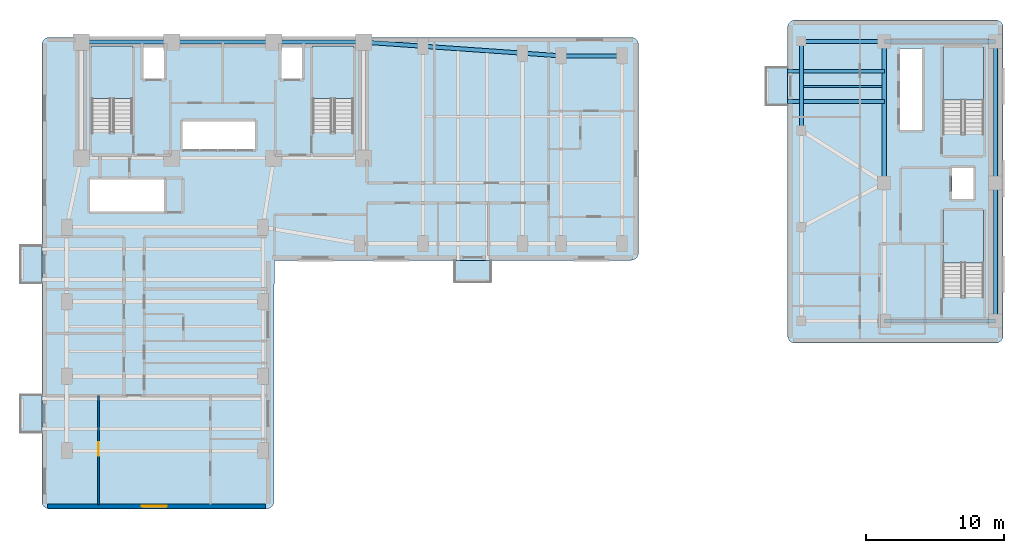
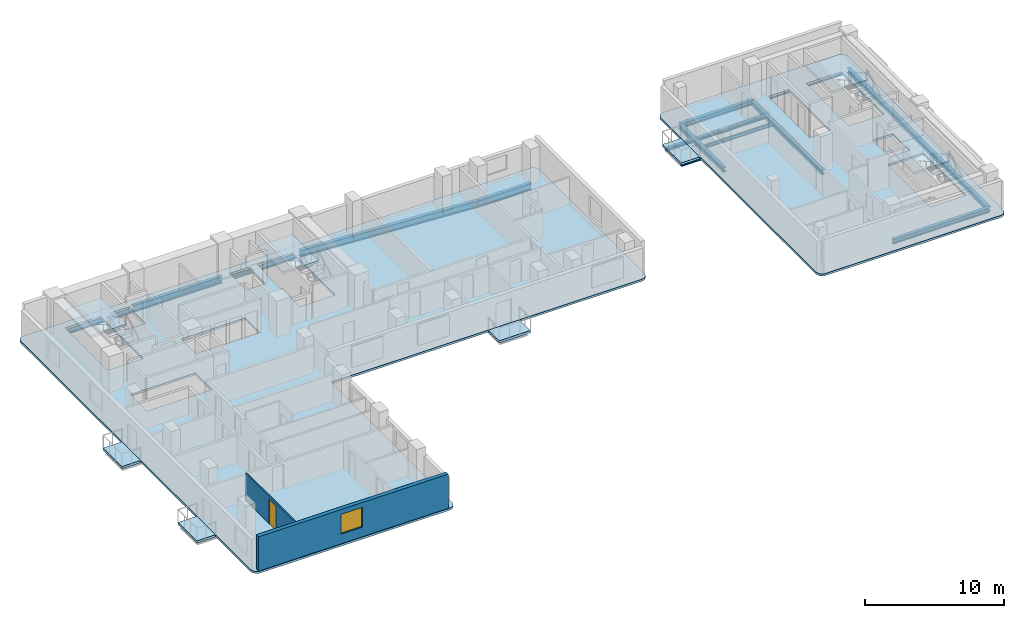
# One storey, part 2 of 9: 17 beams, 10 slabs, 2 walls, 1 door, 1 window, 2 openings, 4 elements without a shape of their own.
"""IFC4 building model written with IfcOpenShell, lengths in metres."""

from ifc_helpers import new_model, si_unit, direction, frame, frame_2d, origin, origin_2d, place, context, subcontext, project, spatial, polyline, rectangle, i_section, outline, extrude, material, layer, layer_set, material_profile, profile_set, type_object, element, fill, aggregate, save


model = new_model("IFC4")

# Units and contexts
model_context = context("Model", 3, precision=1e-05, world=origin(), true_north=direction((0.0, 1.0)))
body_context = subcontext(model_context, "Body", "Model", "MODEL_VIEW")
ifc_project = project(units=[si_unit("LENGTHUNIT", "METRE"), si_unit("AREAUNIT", "SQUARE_METRE"), si_unit("VOLUMEUNIT", "CUBIC_METRE"), si_unit("PLANEANGLEUNIT", "RADIAN"), si_unit("MASSUNIT", "GRAM", prefix="KILO")], contexts=[model_context])

# Site, building, storey
site_placement = place(None, origin())
site = spatial("IfcSite", under=ifc_project, at=site_placement, CompositionType="ELEMENT")
building_placement = place(site_placement, origin())
building = spatial("IfcBuilding", under=site, at=building_placement, Name="Kuzgunbayir Cultural Tower", CompositionType="ELEMENT")
storey_placement = place(building_placement, frame((0.0, 0.0, 89.800048828125)))
storey = spatial("IfcBuildingStorey", under=building, at=storey_placement, Name="L25", CompositionType="ELEMENT", Elevation=89.800048828125)

# Beams
ifc_material_1 = material(Name="Steel S355J2", Category="steel")
ifc_material_profile_1 = material_profile(ifc_material_1, i_section(OverallWidth=0.260009765625, OverallDepth=0.260009765625, WebThickness=0.010009765625, FlangeThickness=0.017578125, FilletRadius=0.02392578125, at=origin_2d()), Name="HEB 260")
ifc_profile_set_1 = profile_set([ifc_material_profile_1], Name="Steel S355J2")
beam_type_1 = type_object("IfcBeamType", Name="BM-BAL-HEB260", PredefinedType="BEAM", material=ifc_profile_set_1)
for number, where, z_axis, x_axis, name in (
    (1, (56.159912109375, 37.89990234375, -0.330078125), (1.0, 0.0, 0.0), (0.0, 1.0, 0.0), "L25 Companion Balcony Outrigger BAL-L25-T2W3.1"),
    (2, (56.159912109375, 40.10009765625, -0.330078125), (1.0, 0.0, 0.0), (0.0, 1.0, 0.0), "L25 Companion Balcony Outrigger BAL-L25-T2W3.2"),
):
    element("IfcBeam", number, at=place(storey_placement, frame(where, z_axis=z_axis, x_axis=x_axis)), inside=storey, type_object=beam_type_1, Name=name, PredefinedType="BEAM", context=body_context, shape_type="SweptSolid", body=[
        extrude(i_section(OverallWidth=0.260009765625, OverallDepth=0.260009765625, WebThickness=0.010009765625, FlangeThickness=0.017578125, FilletRadius=0.02392578125, at=origin_2d()), origin(), (0.0, 0.0, 1.0), 8.440185546875),
    ])
ifc_material_profile_2 = material_profile(ifc_material_1, i_section(OverallWidth=0.300048828125, OverallDepth=0.39990234375, WebThickness=0.013427734375, FlangeThickness=0.02392578125, FilletRadius=0.027099609375, at=origin_2d()), Name="HEB 400")
ifc_profile_set_2 = profile_set([ifc_material_profile_2], Name="Steel S355J2")
beam_type_2 = type_object("IfcBeamType", Name="BM-EXT-HEB400", PredefinedType="BEAM", material=ifc_profile_set_2)
beam_1_placement = place(storey_placement, frame((58.60009765625, 35.800048828125, -0.380126953125), z_axis=(0.0, 1.0, 0.0), x_axis=(-1.0, 0.0, 0.0)))
element("IfcBeam", 3, at=beam_1_placement, inside=storey, type_object=beam_type_2, Name="L25 Companion West Girder", PredefinedType="BEAM", context=body_context, shape_type="SweptSolid", body=[
    extrude(i_section(OverallWidth=0.300048828125, OverallDepth=0.39990234375, WebThickness=0.013427734375, FlangeThickness=0.02392578125, FilletRadius=0.027099609375, at=origin_2d()), origin(), (0.0, 0.0, 1.0), 6.449951171875),
])
ifc_material_profile_3 = material_profile(ifc_material_1, i_section(OverallWidth=0.300048828125, OverallDepth=0.60009765625, WebThickness=0.015380859375, FlangeThickness=0.030029296875, FilletRadius=0.027099609375, at=origin_2d()), Name="HEB 600")
ifc_profile_set_3 = profile_set([ifc_material_profile_3], Name="Steel S355J2")
beam_type_3 = type_object("IfcBeamType", Name="BM-EXT-HEB600", PredefinedType="BEAM", material=ifc_profile_set_3)
beam_2_placement = place(storey_placement, frame((26.89990234375, 42.199951171875, -0.47998046875), z_axis=(0.997574369175, -0.069608749203, 0.0), x_axis=(0.069608749203, 0.997574369175, 0.0)))
element("IfcBeam", 4, at=beam_2_placement, inside=storey, type_object=beam_type_3, Name="L25 Wing B North Girder 1", PredefinedType="BEAM", context=body_context, shape_type="SweptSolid", body=[
    extrude(i_section(OverallWidth=0.300048828125, OverallDepth=0.60009765625, WebThickness=0.015380859375, FlangeThickness=0.030029296875, FilletRadius=0.027099609375, at=origin_2d()), origin(), (0.0, 0.0, 1.0), 4.310546875),
])
beam_3_placement = place(storey_placement, frame((31.199951171875, 41.89990234375, -0.47998046875), z_axis=(0.997597388498, -0.069278066245, 0.0), x_axis=(0.069278066245, 0.997597388498, 0.0)))
element("IfcBeam", 5, at=beam_3_placement, inside=storey, type_object=beam_type_3, Name="L25 Wing B North Girder 2", PredefinedType="BEAM", context=body_context, shape_type="SweptSolid", body=[
    extrude(i_section(OverallWidth=0.300048828125, OverallDepth=0.60009765625, WebThickness=0.015380859375, FlangeThickness=0.030029296875, FilletRadius=0.027099609375, at=origin_2d()), origin(), (0.0, 0.0, 1.0), 7.21728515625),
])
beam_4_placement = place(storey_placement, frame((38.39990234375, 41.39990234375, -0.47998046875), z_axis=(0.997460024076, -0.071228508128, 0.0), x_axis=(0.071228508128, 0.997460024076, 0.0)))
element("IfcBeam", 6, at=beam_4_placement, inside=storey, type_object=beam_type_3, Name="L25 Wing B North Girder 3", PredefinedType="BEAM", context=body_context, shape_type="SweptSolid", body=[
    extrude(i_section(OverallWidth=0.300048828125, OverallDepth=0.60009765625, WebThickness=0.015380859375, FlangeThickness=0.030029296875, FilletRadius=0.027099609375, at=origin_2d()), origin(), (0.0, 0.0, 1.0), 2.80712890625),
])
beam_5_placement = place(storey_placement, frame((41.199951171875, 41.199951171875, -0.47998046875), z_axis=(1.0, 0.0, 0.0), x_axis=(0.0, 1.0, 0.0)))
element("IfcBeam", 7, at=beam_5_placement, inside=storey, type_object=beam_type_3, Name="L25 Wing B North Girder 4", PredefinedType="BEAM", context=body_context, shape_type="SweptSolid", body=[
    extrude(i_section(OverallWidth=0.300048828125, OverallDepth=0.60009765625, WebThickness=0.015380859375, FlangeThickness=0.030029296875, FilletRadius=0.027099609375, at=origin_2d()), origin(), (0.0, 0.0, 1.0), 4.400146484375),
])
ifc_material_profile_4 = material_profile(ifc_material_1, i_section(OverallWidth=0.300048828125, OverallDepth=0.39990234375, WebThickness=0.013427734375, FlangeThickness=0.02392578125, FilletRadius=0.027099609375, at=origin_2d()), Name="HEB 400")
ifc_profile_set_4 = profile_set([ifc_material_profile_4], Name="Steel S355J2")
beam_type_4 = type_object("IfcBeamType", Name="BM-GIR-HEB400", PredefinedType="BEAM", material=ifc_profile_set_4)
beam_6_placement = place(storey_placement, frame((58.60009765625, 42.25, -0.380126953125), z_axis=(1.0, 0.0, 0.0), x_axis=(0.0, 1.0, 0.0)))
element("IfcBeam", 8, at=beam_6_placement, inside=storey, type_object=beam_type_4, Name="L25 Companion Transverse Girder 4", PredefinedType="BEAM", context=body_context, shape_type="SweptSolid", body=[
    extrude(i_section(OverallWidth=0.300048828125, OverallDepth=0.39990234375, WebThickness=0.013427734375, FlangeThickness=0.02392578125, FilletRadius=0.027099609375, at=origin_2d()), origin(), (0.0, 0.0, 1.0), 6.0),
])
beam_7_placement = place(storey_placement, frame((64.60009765625, 32.0, -0.380126953125), z_axis=(0.0, 1.0, 0.0), x_axis=(-1.0, 0.0, 0.0)))
element("IfcBeam", 9, at=beam_7_placement, inside=storey, type_object=beam_type_4, Name="L25 Companion Core West Girder 2", PredefinedType="BEAM", context=body_context, shape_type="SweptSolid", body=[
    extrude(i_section(OverallWidth=0.300048828125, OverallDepth=0.39990234375, WebThickness=0.013427734375, FlangeThickness=0.02392578125, FilletRadius=0.027099609375, at=origin_2d()), origin(), (0.0, 0.0, 1.0), 10.25),
])
beam_8_placement = place(storey_placement, frame((72.64990234375, 22.0, -0.380126953125), z_axis=(0.0, 1.0, 0.0), x_axis=(-1.0, 0.0, 0.0)))
element("IfcBeam", 10, at=beam_8_placement, inside=storey, type_object=beam_type_4, Name="L25 Companion Core East Girder 1", PredefinedType="BEAM", context=body_context, shape_type="SweptSolid", body=[
    extrude(i_section(OverallWidth=0.300048828125, OverallDepth=0.39990234375, WebThickness=0.013427734375, FlangeThickness=0.02392578125, FilletRadius=0.027099609375, at=origin_2d()), origin(), (0.0, 0.0, 1.0), 10.0),
])
beam_9_placement = place(storey_placement, frame((72.64990234375, 32.0, -0.380126953125), z_axis=(0.0, 1.0, 0.0), x_axis=(-1.0, 0.0, 0.0)))
element("IfcBeam", 11, at=beam_9_placement, inside=storey, type_object=beam_type_4, Name="L25 Companion Core East Girder 2", PredefinedType="BEAM", context=body_context, shape_type="SweptSolid", body=[
    extrude(i_section(OverallWidth=0.300048828125, OverallDepth=0.39990234375, WebThickness=0.013427734375, FlangeThickness=0.02392578125, FilletRadius=0.027099609375, at=origin_2d()), origin(), (0.0, 0.0, 1.0), 10.25),
])
for number, where, z_axis, x_axis, name in (
    (12, (64.60009765625, 22.0, -0.380126953125), (1.0, 0.0, 0.0), (0.0, 1.0, 0.0), "L25 Companion Core South Girder"),
    (13, (64.60009765625, 42.25, -0.380126953125), (1.0, 0.0, 0.0), (0.0, 1.0, 0.0), "L25 Companion Core North Girder"),
):
    element("IfcBeam", number, at=place(storey_placement, frame(where, z_axis=z_axis, x_axis=x_axis)), inside=storey, type_object=beam_type_4, Name=name, PredefinedType="BEAM", context=body_context, shape_type="SweptSolid", body=[
        extrude(i_section(OverallWidth=0.300048828125, OverallDepth=0.39990234375, WebThickness=0.013427734375, FlangeThickness=0.02392578125, FilletRadius=0.027099609375, at=origin_2d()), origin(), (0.0, 0.0, 1.0), 8.0498046875),
    ])
ifc_material_profile_5 = material_profile(ifc_material_1, i_section(OverallWidth=0.300048828125, OverallDepth=0.60009765625, WebThickness=0.015380859375, FlangeThickness=0.030029296875, FilletRadius=0.027099609375, at=origin_2d()), Name="HEB 600")
ifc_profile_set_5 = profile_set([ifc_material_profile_5], Name="Steel S355J2")
beam_type_5 = type_object("IfcBeamType", Name="BM-GIR-HEB600", PredefinedType="BEAM", material=ifc_profile_set_5)
beam_10_placement = place(storey_placement, frame((6.449951171875, 42.199951171875, -0.47998046875), z_axis=(1.0, 0.0, 0.0), x_axis=(0.0, 1.0, 0.0)))
element("IfcBeam", 14, at=beam_10_placement, inside=storey, type_object=beam_type_5, Name="L25 Core North Girder 1", PredefinedType="BEAM", context=body_context, shape_type="SweptSolid", body=[
    extrude(i_section(OverallWidth=0.300048828125, OverallDepth=0.60009765625, WebThickness=0.015380859375, FlangeThickness=0.030029296875, FilletRadius=0.027099609375, at=origin_2d()), origin(), (0.0, 0.0, 1.0), 6.550048828125),
])
beam_11_placement = place(storey_placement, frame((13.0, 42.199951171875, -0.47998046875), z_axis=(1.0, 0.0, 0.0), x_axis=(0.0, 1.0, 0.0)))
element("IfcBeam", 15, at=beam_11_placement, inside=storey, type_object=beam_type_5, Name="L25 Core North Girder 2", PredefinedType="BEAM", context=body_context, shape_type="SweptSolid", body=[
    extrude(i_section(OverallWidth=0.300048828125, OverallDepth=0.60009765625, WebThickness=0.015380859375, FlangeThickness=0.030029296875, FilletRadius=0.027099609375, at=origin_2d()), origin(), (0.0, 0.0, 1.0), 7.39990234375),
])
beam_12_placement = place(storey_placement, frame((20.39990234375, 42.199951171875, -0.47998046875), z_axis=(1.0, 0.0, 0.0), x_axis=(0.0, 1.0, 0.0)))
element("IfcBeam", 16, at=beam_12_placement, inside=storey, type_object=beam_type_5, Name="L25 Core North Girder 3", PredefinedType="BEAM", context=body_context, shape_type="SweptSolid", body=[
    extrude(i_section(OverallWidth=0.300048828125, OverallDepth=0.60009765625, WebThickness=0.015380859375, FlangeThickness=0.030029296875, FilletRadius=0.027099609375, at=origin_2d()), origin(), (0.0, 0.0, 1.0), 6.5),
])
ifc_material_profile_6 = material_profile(ifc_material_1, i_section(OverallWidth=0.14990234375, OverallDepth=0.300048828125, WebThickness=0.007080078125, FlangeThickness=0.0107421875, FilletRadius=0.014892578125, at=origin_2d()), Name="IPE 300")
ifc_profile_set_6 = profile_set([ifc_material_profile_6], Name="Steel S355J2")
beam_type_6 = type_object("IfcBeamType", Name="BM-JST-IPE300", PredefinedType="JOIST", material=ifc_profile_set_6)
beam_13_placement = place(storey_placement, frame((58.75, 39.0, -0.330078125), z_axis=(1.0, 0.0, 0.0), x_axis=(0.0, 1.0, 0.0)))
element("IfcBeam", 17, at=beam_13_placement, inside=storey, type_object=beam_type_6, Name="L25 Companion Joist", PredefinedType="JOIST", context=body_context, shape_type="SweptSolid", body=[
    extrude(i_section(OverallWidth=0.14990234375, OverallDepth=0.300048828125, WebThickness=0.007080078125, FlangeThickness=0.0107421875, FilletRadius=0.014892578125, at=origin_2d()), origin(), (0.0, 0.0, 1.0), 5.699951171875),
])

# Slabs
ifc_material_2 = material(Name="Concrete C40/50", Category="concrete")
ifc_layer_1 = layer(ifc_material_2, 0.199951171875)
ifc_layer_set_1 = layer_set([ifc_layer_1], Name="Concrete C40/50")
slab_type_1 = type_object("IfcSlabType", Name="SLB-BAL-STONE", PredefinedType="FLOOR", material=ifc_layer_set_1)
slab_1_placement = place(storey_placement, frame((0.0, 0.0, -0.199951171875)))
element("IfcSlab", 18, at=slab_1_placement, inside=storey, type_object=slab_type_1, Name="L25 Projecting Limestone Balcony BAL-L25-WA1", PredefinedType="FLOOR", context=body_context, shape_type="SweptSolid", body=[
    extrude(outline(polyline([(2.0400390625, 13.949951171875), (3.60009765625, 13.949951171875), (3.60009765625, 16.64990234375), (2.0400390625, 16.64990234375), (2.0400390625, 13.949951171875)])), origin(), (0.0, 0.0, 1.0), 0.199951171875),
])
slab_2_placement = place(storey_placement, frame((0.0, 0.0, -0.199951171875)))
element("IfcSlab", 19, at=slab_2_placement, inside=storey, type_object=slab_type_1, Name="L25 Projecting Limestone Balcony BAL-L25-WA3", PredefinedType="FLOOR", context=body_context, shape_type="SweptSolid", body=[
    extrude(outline(polyline([(2.0400390625, 24.75), (3.60009765625, 24.75), (3.60009765625, 27.449951171875), (2.0400390625, 27.449951171875), (2.0400390625, 24.75)])), origin(), (0.0, 0.0, 1.0), 0.199951171875),
])
slab_3_placement = place(storey_placement, frame((0.0, 0.0, -0.199951171875)))
element("IfcSlab", 20, at=slab_3_placement, inside=storey, type_object=slab_type_1, Name="L25 Projecting Limestone Balcony BAL-L25-WB2", PredefinedType="FLOOR", context=body_context, shape_type="SweptSolid", body=[
    extrude(outline(polyline([(33.5, 24.840087890625), (36.10009765625, 24.840087890625), (36.10009765625, 26.39990234375), (33.5, 26.39990234375), (33.5, 24.840087890625)])), origin(), (0.0, 0.0, 1.0), 0.199951171875),
])
slab_4_placement = place(storey_placement, frame((0.0, 0.0, -0.199951171875)))
element("IfcSlab", 21, at=slab_4_placement, inside=storey, type_object=slab_type_1, Name="L25 Projecting Limestone Balcony BAL-L25-T2W3", PredefinedType="FLOOR", context=body_context, shape_type="SweptSolid", body=[
    extrude(outline(polyline([(56.0400390625, 37.64990234375), (57.60009765625, 37.64990234375), (57.60009765625, 40.35009765625), (56.0400390625, 40.35009765625), (56.0400390625, 37.64990234375)])), origin(), (0.0, 0.0, 1.0), 0.199951171875),
])

# Stair, slab
stair_type = type_object("IfcStairType", Name="STR-EXIT-CORE", PredefinedType="HALF_TURN_STAIR", material=ifc_material_2)
stair_1_placement = place(storey_placement, origin())
stair_1 = element("IfcStair", 22, at=stair_1_placement, inside=storey, type_object=stair_type, Name="L25 ST-1", PredefinedType="HALF_TURN_STAIR")
ifc_layer_2 = layer(ifc_material_2, 0.179931640625)
ifc_layer_set_2 = layer_set([ifc_layer_2], Name="Concrete C40/50")
slab_type_2 = type_object("IfcSlabType", Name="SLB-LANDING-180", PredefinedType="LANDING", material=ifc_layer_set_2)
slab_5_placement = place(storey_placement, frame((0.0, 0.0, 1.39990234375)))
slab_5 = element("IfcSlab", 23, at=slab_5_placement, type_object=slab_type_2, Name="ST-1 landing 1", PredefinedType="LANDING", context=body_context, shape_type="SweptSolid", body=[
    extrude(outline(polyline([(10.159912109375, 38.1201171875), (10.159912109375, 41.89990234375), (7.199951171875, 41.89990234375), (7.199951171875, 38.1201171875), (10.159912109375, 38.1201171875)])), origin(), (0.0, 0.0, 1.0), 0.199951171875),
])
aggregate(stair_1, [slab_5])

stair_2_placement = place(storey_placement, origin())
stair_2 = element("IfcStair", 24, at=stair_2_placement, inside=storey, type_object=stair_type, Name="L25 ST-2", PredefinedType="HALF_TURN_STAIR")
slab_6_placement = place(storey_placement, frame((0.0, 0.0, 1.39990234375)))
slab_6 = element("IfcSlab", 25, at=slab_6_placement, type_object=slab_type_2, Name="ST-2 landing 1", PredefinedType="LANDING", context=body_context, shape_type="SweptSolid", body=[
    extrude(outline(polyline([(26.159912109375, 38.1201171875), (26.159912109375, 41.89990234375), (23.199951171875, 41.89990234375), (23.199951171875, 38.1201171875), (26.159912109375, 38.1201171875)])), origin(), (0.0, 0.0, 1.0), 0.199951171875),
])
aggregate(stair_2, [slab_6])

stair_3_placement = place(storey_placement, origin())
stair_3 = element("IfcStair", 26, at=stair_3_placement, inside=storey, type_object=stair_type, Name="L25 ST-3", PredefinedType="HALF_TURN_STAIR")
slab_7_placement = place(storey_placement, frame((0.0, 0.0, 1.39990234375)))
slab_7 = element("IfcSlab", 27, at=slab_7_placement, type_object=slab_type_2, Name="ST-3 landing 1", PredefinedType="LANDING", context=body_context, shape_type="SweptSolid", body=[
    extrude(outline(polyline([(71.800048828125, 26.219970703125), (71.800048828125, 30.0), (68.840087890625, 30.0), (68.840087890625, 26.219970703125), (71.800048828125, 26.219970703125)])), origin(), (0.0, 0.0, 1.0), 0.199951171875),
])
aggregate(stair_3, [slab_7])

stair_4_placement = place(storey_placement, origin())
stair_4 = element("IfcStair", 28, at=stair_4_placement, inside=storey, type_object=stair_type, Name="L25 ST-4", PredefinedType="HALF_TURN_STAIR")
slab_8_placement = place(storey_placement, frame((0.0, 0.0, 1.39990234375)))
slab_8 = element("IfcSlab", 29, at=slab_8_placement, type_object=slab_type_2, Name="ST-4 landing 1", PredefinedType="LANDING", context=body_context, shape_type="SweptSolid", body=[
    extrude(outline(polyline([(71.800048828125, 38.02001953125), (71.800048828125, 41.800048828125), (68.840087890625, 41.800048828125), (68.840087890625, 38.02001953125), (71.800048828125, 38.02001953125)])), origin(), (0.0, 0.0, 1.0), 0.199951171875),
])
aggregate(stair_4, [slab_8])

# Slabs
ifc_layer_3 = layer(ifc_material_2, 0.179931640625)
ifc_layer_set_3 = layer_set([ifc_layer_3], Name="Concrete C40/50")
slab_type_3 = type_object("IfcSlabType", Name="SLB-TYP-180", PredefinedType="FLOOR", material=ifc_layer_set_3)
slab_9_placement = place(storey_placement, frame((0.0, 0.0, -0.179931640625)))
element("IfcSlab", 30, at=slab_9_placement, inside=storey, type_object=slab_type_3, Name="L25 Tower 1 Floor Slab T1-MAIN", PredefinedType="FLOOR", context=body_context, shape_type="SweptSolid", body=[
    extrude(outline(polyline([(20.39990234375, 8.949951171875), (20.389892578125, 8.840087890625), (20.360107421875, 8.739990234375), (20.31005859375, 8.639892578125), (20.239990234375, 8.56005859375), (20.159912109375, 8.489990234375), (20.06005859375, 8.43994140625), (19.9599609375, 8.409912109375), (19.85009765625, 8.39990234375), (4.14990234375, 8.39990234375), (4.0400390625, 8.409912109375), (3.93994140625, 8.43994140625), (3.840087890625, 8.489990234375), (3.760009765625, 8.56005859375), (3.68994140625, 8.639892578125), (3.639892578125, 8.739990234375), (3.610107421875, 8.840087890625), (3.60009765625, 8.949951171875), (3.60009765625, 42.0), (3.610107421875, 42.110107421875), (3.639892578125, 42.2099609375), (3.68994140625, 42.31005859375), (3.760009765625, 42.389892578125), (3.840087890625, 42.4599609375), (3.93994140625, 42.510009765625), (4.0400390625, 42.5400390625), (4.14990234375, 42.550048828125), (46.25, 42.550048828125), (46.360107421875, 42.5400390625), (46.4599609375, 42.510009765625), (46.56005859375, 42.4599609375), (46.639892578125, 42.389892578125), (46.7099609375, 42.31005859375), (46.760009765625, 42.2099609375), (46.7900390625, 42.110107421875), (46.800048828125, 42.0), (46.800048828125, 26.949951171875), (46.7900390625, 26.840087890625), (46.760009765625, 26.739990234375), (46.7099609375, 26.639892578125), (46.639892578125, 26.56005859375), (46.56005859375, 26.489990234375), (46.4599609375, 26.43994140625), (46.360107421875, 26.409912109375), (46.25, 26.39990234375), (20.429931640625, 26.39990234375), (20.39990234375, 8.949951171875)]), holes=[polyline([(7.199951171875, 35.760009765625), (7.199951171875, 41.89990234375), (10.159912109375, 41.89990234375), (10.159912109375, 35.760009765625), (7.199951171875, 35.760009765625)]), polyline([(23.199951171875, 35.760009765625), (23.199951171875, 41.89990234375), (26.159912109375, 41.89990234375), (26.159912109375, 35.760009765625), (23.199951171875, 35.760009765625)]), polyline([(13.75, 34.39990234375), (13.75, 36.5), (19.080078125, 36.5), (19.080078125, 34.39990234375), (13.75, 34.39990234375)]), polyline([(7.10009765625, 29.89990234375), (7.10009765625, 32.300048828125), (12.5, 32.300048828125), (12.5, 29.89990234375), (7.10009765625, 29.89990234375)]), polyline([(10.89990234375, 39.5), (10.89990234375, 41.89990234375), (12.5, 41.89990234375), (12.5, 39.5), (10.89990234375, 39.5)]), polyline([(20.89990234375, 39.5), (20.89990234375, 41.89990234375), (22.5, 41.89990234375), (22.5, 39.5), (20.89990234375, 39.5)])]), origin(), (0.0, 0.0, 1.0), 0.179931640625),
])
slab_10_placement = place(storey_placement, frame((0.0, 0.0, -0.179931640625)))
element("IfcSlab", 31, at=slab_10_placement, inside=storey, type_object=slab_type_3, Name="L25 Companion Tower 2 Floor Slab", PredefinedType="FLOOR", context=body_context, shape_type="SweptSolid", body=[
    extrude(outline(polyline([(72.64990234375, 20.39990234375), (72.760009765625, 20.409912109375), (72.860107421875, 20.43994140625), (72.9599609375, 20.489990234375), (73.0400390625, 20.56005859375), (73.110107421875, 20.639892578125), (73.159912109375, 20.739990234375), (73.18994140625, 20.840087890625), (73.199951171875, 20.949951171875), (73.199951171875, 43.25), (73.18994140625, 43.360107421875), (73.159912109375, 43.4599609375), (73.110107421875, 43.56005859375), (73.0400390625, 43.639892578125), (72.9599609375, 43.7099609375), (72.860107421875, 43.760009765625), (72.760009765625, 43.7900390625), (72.64990234375, 43.800048828125), (58.14990234375, 43.800048828125), (58.0400390625, 43.7900390625), (57.93994140625, 43.760009765625), (57.840087890625, 43.7099609375), (57.760009765625, 43.639892578125), (57.68994140625, 43.56005859375), (57.639892578125, 43.4599609375), (57.610107421875, 43.360107421875), (57.60009765625, 43.25), (57.60009765625, 20.949951171875), (57.610107421875, 20.840087890625), (57.639892578125, 20.739990234375), (57.68994140625, 20.639892578125), (57.760009765625, 20.56005859375), (57.840087890625, 20.489990234375), (57.93994140625, 20.43994140625), (58.0400390625, 20.409912109375), (58.14990234375, 20.39990234375), (72.64990234375, 20.39990234375)]), holes=[polyline([(68.840087890625, 23.860107421875), (68.840087890625, 30.0), (71.800048828125, 30.0), (71.800048828125, 23.860107421875), (68.840087890625, 23.860107421875)]), polyline([(68.840087890625, 35.659912109375), (68.840087890625, 41.800048828125), (71.800048828125, 41.800048828125), (71.800048828125, 35.659912109375), (68.840087890625, 35.659912109375)]), polyline([(65.699951171875, 35.800048828125), (65.699951171875, 41.75), (67.39990234375, 41.75), (67.39990234375, 35.800048828125), (65.699951171875, 35.800048828125)]), polyline([(69.5, 30.800048828125), (69.5, 33.199951171875), (71.10009765625, 33.199951171875), (71.10009765625, 30.800048828125), (69.5, 30.800048828125)])]), origin(), (0.0, 0.0, 1.0), 0.179931640625),
])

# Wall, opening, window
ifc_material_3 = material(Name="Travertine Buff Ashlar", Category="masonry")
ifc_layer_4 = layer(ifc_material_3, 0.320068359375)
ifc_layer_set_4 = layer_set([ifc_layer_4], Name="Travertine Buff Ashlar")
wall_type_1 = type_object("IfcWallType", Name="WAL-EXT-STONE-320", PredefinedType="STANDARD", material=ifc_layer_set_4)
wall_1_placement = place(storey_placement, frame((4.0, 8.60009765625, 0.0), z_axis=(0.0, 0.0, 1.0), x_axis=(1.0, 0.0, 0.0)))
wall_1 = element("IfcWall", 32, at=wall_1_placement, inside=storey, type_object=wall_type_1, Name="L25 Wing A South Limestone Wall", PredefinedType="STANDARD", context=body_context, shape_type="SweptSolid", body=[
    extrude(rectangle(XDim=15.800048828125, YDim=0.320068359375, at=frame_2d((7.89990234375, 0.0))), origin(), (0.0, 0.0, 1.0), 3.02001953125),
])
opening_1_placement = place(wall_1_placement, frame((6.85009765625, 0.0, 0.85009765625)))
opening_1 = element("IfcOpeningElement", 33, at=opening_1_placement, cuts=wall_1, Name="Opening WH-18", PredefinedType="OPENING", context=body_context, shape_type="SweptSolid", body=[
    extrude(rectangle(XDim=1.800048828125, YDim=1.75, at=frame_2d((0.89990234375, 0.875))), frame((0.0, 0.169921875, 0.0), z_axis=(0.0, -1.0, 0.0), x_axis=(1.0, 0.0, 0.0)), (0.0, 0.0, 1.0), 0.340087890625),
])
ifc_material_4 = material(Name="Solar-Control Triple Glazing", Category="glass")
window_type = type_object("IfcWindowType", Name="WIN-HOTEL-18", PartitioningType="SINGLE_PANEL", PredefinedType="WINDOW", material=ifc_material_4)
window_placement = place(opening_1_placement, origin())
window = element("IfcWindow", 34, at=window_placement, inside=storey, type_object=window_type, Name="L25 WAS Facade Window 1", OverallHeight=1.75, OverallWidth=1.800048828125, PartitioningType="SINGLE_PANEL", PredefinedType="WINDOW", context=body_context, shape_type="SweptSolid", body=[
    extrude(rectangle(XDim=1.800048828125, YDim=1.75, at=frame_2d((0.89990234375, 0.875))), frame((0.0, 0.030029296875, 0.0), z_axis=(0.0, -1.0, 0.0), x_axis=(1.0, 0.0, 0.0)), (0.0, 0.0, 1.0), 0.06005859375),
])
fill(opening_1, window)

# Wall, opening, door
ifc_material_5 = material(Name="Framed Gypsum Partition", Category="gypsum")
ifc_layer_5 = layer(ifc_material_5, 0.1201171875)
ifc_layer_set_5 = layer_set([ifc_layer_5], Name="Framed Gypsum Partition")
wall_type_2 = type_object("IfcWallType", Name="WAL-PART-INT-120", PredefinedType="PARTITIONING", material=ifc_layer_set_5)
wall_2_placement = place(storey_placement, frame((7.699951171875, 8.699951171875, 0.0), z_axis=(0.0, 0.0, 1.0), x_axis=(0.0, 1.0, 0.0)))
wall_2 = element("IfcWall", 35, at=wall_2_placement, inside=storey, type_object=wall_type_2, Name="L25 Diplomatic Suite Bedroom Wall", PredefinedType="PARTITIONING", context=body_context, shape_type="SweptSolid", body=[
    extrude(rectangle(XDim=7.900146484375, YDim=0.1201171875, at=frame_2d((3.9501953125, 0.0))), origin(), (0.0, 0.0, 1.0), 2.39990234375),
])
opening_2_placement = place(wall_2_placement, frame((3.56005859375, 0.0, 0.0)))
opening_2 = element("IfcOpeningElement", 36, at=opening_2_placement, cuts=wall_2, Name="Opening DI-90", PredefinedType="OPENING", context=body_context, shape_type="SweptSolid", body=[
    extrude(rectangle(XDim=0.949951171875, YDim=2.14990234375, at=frame_2d((0.47509765625, 1.074951171875))), frame((0.0, 0.070068359375, 0.0), z_axis=(0.0, -1.0, 0.0), x_axis=(1.0, 0.0, 0.0)), (0.0, 0.0, 1.0), 0.14013671875),
])
ifc_material_6 = material(Name="Veneered Oak Single Leaf", Category="wood")
door_type = type_object("IfcDoorType", Name="DR-INT-90", OperationType="NOTDEFINED", PredefinedType="DOOR", material=ifc_material_6)
door_placement = place(opening_2_placement, origin())
door = element("IfcDoor", 37, at=door_placement, inside=storey, type_object=door_type, Name="L25 Diplomatic Bedroom Door", OperationType="SINGLE_SWING_LEFT", OverallHeight=2.14990234375, OverallWidth=0.949951171875, PredefinedType="DOOR", context=body_context, shape_type="SweptSolid", body=[
    extrude(rectangle(XDim=0.949951171875, YDim=2.14990234375, at=frame_2d((0.47509765625, 1.074951171875))), frame((0.0, 0.02490234375, 0.0), z_axis=(0.0, -1.0, 0.0), x_axis=(1.0, 0.0, 0.0)), (0.0, 0.0, 1.0), 0.050048828125),
])
fill(opening_2, door)

save(model, "model.ifc")
